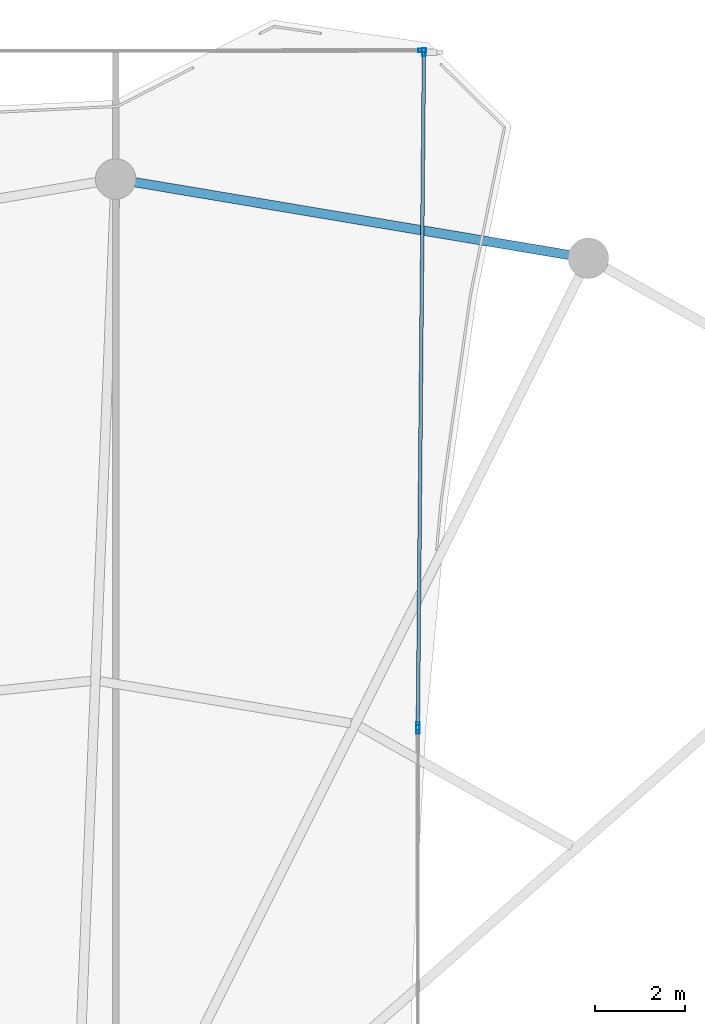
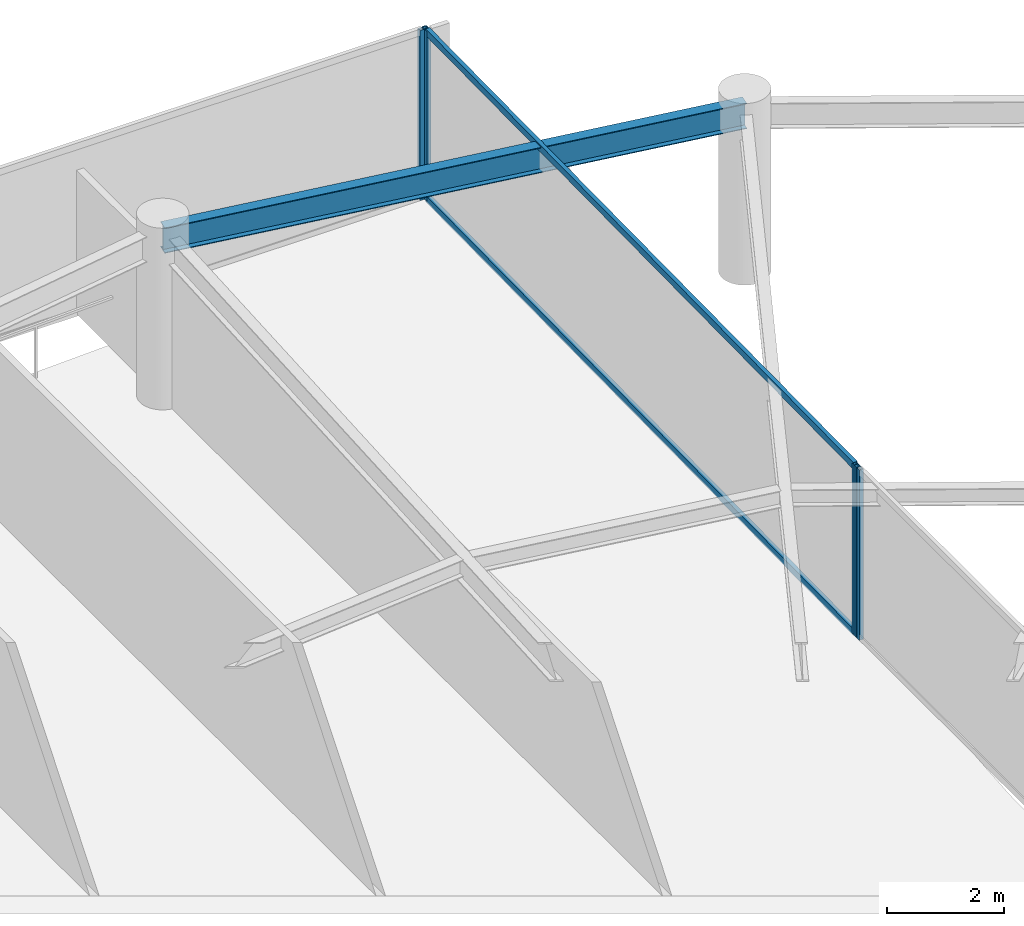
# One storey, part 16 of 22: 6 members, 1 beam, 3 elements without a shape of their own.
"""IFC4 building model written with IfcOpenShell, lengths in metres."""

from ifc_helpers import new_model, si_unit, direction, frame, origin, origin_2d, place, context, subcontext, project, spatial, hollow_rectangle, i_section, extrude, material, layer, layer_set, material_profile, profile_set, type_object, element, aggregate, save


model = new_model("IFC4")

# Units and contexts
model_context = context("Model", 3, precision=1e-05, world=origin(), true_north=direction((0.0, 1.0)))
body_context = subcontext(model_context, "Body", "Model", "MODEL_VIEW")
ifc_project = project(units=[si_unit("LENGTHUNIT", "METRE"), si_unit("AREAUNIT", "SQUARE_METRE"), si_unit("VOLUMEUNIT", "CUBIC_METRE"), si_unit("PLANEANGLEUNIT", "RADIAN"), si_unit("MASSUNIT", "GRAM", prefix="KILO")], contexts=[model_context])

# Site, building, storey
site_placement = place(None, origin())
site = spatial("IfcSite", under=ifc_project, at=site_placement, CompositionType="ELEMENT")
building_placement = place(site_placement, origin())
building = spatial("IfcBuilding", under=site, at=building_placement, Name="Kazevale Care Tower and Concert Hall", CompositionType="ELEMENT")
storey_placement = place(building_placement, frame((0.0, 0.0, 273.800048828125)))
storey = spatial("IfcBuildingStorey", under=building, at=storey_placement, Name="L72", CompositionType="ELEMENT", Elevation=273.800048828125)

# Curtain wall, member
ifc_material_1 = material(Name="Aluminium 6063-T6 and Low-E Glass", Category="aluminium")
ifc_layer = layer(ifc_material_1, 0.179931640625)
ifc_layer_set = layer_set([ifc_layer], Name="Aluminium 6063-T6 and Low-E Glass")
curtain_wall_type = type_object("IfcCurtainWallType", Name="Waist & Upper Residential Curtain Wall CW-4", PredefinedType="NOTDEFINED", material=ifc_layer_set)
curtain_wall_1_placement = place(storey_placement, origin())
curtain_wall_1 = element("IfcCurtainWall", 1, at=curtain_wall_1_placement, inside=storey, type_object=curtain_wall_type, Name="cw:L72:f12", PredefinedType="NOTDEFINED")
ifc_material_2 = material(Name="Aluminium 6063-T6", Category="aluminium")
ifc_material_profile_1 = material_profile(ifc_material_2, hollow_rectangle(XDim=0.080078125, YDim=0.179931640625, WallThickness=0.0048828125, at=origin_2d()), Name="ALU80x180x5")
ifc_profile_set_1 = profile_set([ifc_material_profile_1], Name="Aluminium 6063-T6")
member_type_1 = type_object("IfcMemberType", Name="CW-4 Mullion ALU80x180x5", PredefinedType="MULLION", material=ifc_profile_set_1)
member_1_placement = place(storey_placement, frame((51.806884765625, 64.0068359375, 0.0), z_axis=(0.0, 0.0, 1.0), x_axis=(-0.001377708789, 0.999999050959, 0.0)))
member_1 = element("IfcMember", 2, at=member_1_placement, type_object=member_type_1, Name="CW-4 mullion 2", PredefinedType="MULLION", context=body_context, shape_type="SweptSolid", body=[
    extrude(hollow_rectangle(XDim=0.080078125, YDim=0.179931640625, WallThickness=0.0048828125, at=origin_2d()), origin(), (0.0, 0.0, 1.0), 3.56005859375),
])
aggregate(curtain_wall_1, [member_1])

# Curtain wall, members
curtain_wall_2_placement = place(storey_placement, origin())
curtain_wall_2 = element("IfcCurtainWall", 3, at=curtain_wall_2_placement, inside=storey, type_object=curtain_wall_type, Name="cw:L72:f13", PredefinedType="NOTDEFINED")
member_2_placement = place(storey_placement, frame((51.8466796875, 63.967041015625, 0.0), z_axis=(0.0, 0.0, 1.0), x_axis=(0.999959765737, -0.008970334801, 0.0)))
member_2 = element("IfcMember", 4, at=member_2_placement, type_object=member_type_1, Name="CW-4 mullion 1", PredefinedType="MULLION", context=body_context, shape_type="SweptSolid", body=[
    extrude(hollow_rectangle(XDim=0.080078125, YDim=0.179931640625, WallThickness=0.0048828125, at=origin_2d()), origin(), (0.0, 0.0, 1.0), 3.56005859375),
])
member_3_placement = place(storey_placement, frame((51.71240234375, 48.998046875, 0.0), z_axis=(0.0, 0.0, 1.0), x_axis=(0.999959765737, -0.008970334801, 0.0)))
member_3 = element("IfcMember", 5, at=member_3_placement, type_object=member_type_1, Name="CW-4 mullion 2", PredefinedType="MULLION", context=body_context, shape_type="SweptSolid", body=[
    extrude(hollow_rectangle(XDim=0.080078125, YDim=0.179931640625, WallThickness=0.0048828125, at=origin_2d()), origin(), (0.0, 0.0, 1.0), 3.56005859375),
])

# Curtain wall, member
curtain_wall_3_placement = place(storey_placement, origin())
curtain_wall_3 = element("IfcCurtainWall", 6, at=curtain_wall_3_placement, inside=storey, type_object=curtain_wall_type, Name="cw:L72:f14", PredefinedType="NOTDEFINED")
member_4_placement = place(storey_placement, frame((51.7119140625, 48.91796875, 0.0), z_axis=(0.0, 0.0, 1.0), x_axis=(1.0, 0.0, 0.0)))
member_4 = element("IfcMember", 7, at=member_4_placement, type_object=member_type_1, Name="CW-4 mullion 1", PredefinedType="MULLION", context=body_context, shape_type="SweptSolid", body=[
    extrude(hollow_rectangle(XDim=0.080078125, YDim=0.179931640625, WallThickness=0.0048828125, at=origin_2d()), origin(), (0.0, 0.0, 1.0), 3.56005859375),
])
aggregate(curtain_wall_3, [member_4])

# Member
ifc_material_profile_2 = material_profile(ifc_material_2, hollow_rectangle(XDim=0.080078125, YDim=0.139892578125, WallThickness=0.00390625, at=origin_2d()), Name="ALU80x140x4")
ifc_profile_set_2 = profile_set([ifc_material_profile_2], Name="Aluminium 6063-T6")
member_type_2 = type_object("IfcMemberType", Name="CW-4 Transom ALU80x140x4", PredefinedType="USERDEFINED", material=ifc_profile_set_2)
member_5_placement = place(storey_placement, frame((51.84619140625, 63.927001953125, 0.0400390625), z_axis=(-0.008969057934, -0.999959777191, 0.0), x_axis=(0.999959777191, -0.008969057934, 0.0)))
member_5 = element("IfcMember", 8, at=member_5_placement, type_object=member_type_2, Name="CW-4 transom 1.1", ObjectType="TRANSOM", PredefinedType="USERDEFINED", context=body_context, shape_type="SweptSolid", body=[
    extrude(hollow_rectangle(XDim=0.080078125, YDim=0.139892578125, WallThickness=0.00390625, at=origin_2d()), origin(), (0.0, 0.0, 1.0), 14.889404296875),
])

member_6_placement = place(storey_placement, frame((51.84619140625, 63.927001953125, 3.52001953125), z_axis=(-0.008969057934, -0.999959777191, 0.0), x_axis=(0.999959777191, -0.008969057934, 0.0)))
member_6 = element("IfcMember", 9, at=member_6_placement, type_object=member_type_2, Name="CW-4 transom 1.2", ObjectType="TRANSOM", PredefinedType="USERDEFINED", context=body_context, shape_type="SweptSolid", body=[
    extrude(hollow_rectangle(XDim=0.080078125, YDim=0.139892578125, WallThickness=0.00390625, at=origin_2d()), origin(), (0.0, 0.0, 1.0), 14.889404296875),
])

aggregate(curtain_wall_2, [member_2, member_3, member_5, member_6])

# Beam
ifc_material_3 = material(Name="Steel ASTM A572 Gr 50", Category="steel")
ifc_material_profile_3 = material_profile(ifc_material_3, i_section(OverallWidth=0.208984375, OverallDepth=0.532958984375, WebThickness=0.01025390625, FlangeThickness=0.015625, at=origin_2d()), Name="W530x92")
ifc_profile_set_3 = profile_set([ifc_material_profile_3], Name="Steel ASTM A572 Gr 50")
beam_type = type_object("IfcBeamType", Name="Upper Ring Beam W530x92", PredefinedType="BEAM", material=ifc_profile_set_3)
beam_placement = place(storey_placement, frame((55.5, 59.389892578125, 3.29345703125), z_axis=(-0.986241035683, 0.165313700387, 0.0), x_axis=(-0.165313700387, -0.986241035683, 0.0)))
element("IfcBeam", 10, at=beam_placement, inside=storey, type_object=beam_type, Name="beam:L72:ring:04", PredefinedType="BEAM", context=body_context, shape_type="SweptSolid", body=[
    extrude(i_section(OverallWidth=0.208984375, OverallDepth=0.532958984375, WebThickness=0.01025390625, FlangeThickness=0.015625, at=origin_2d()), origin(), (0.0, 0.0, 1.0), 10.646484375),
])

save(model, "model.ifc")
